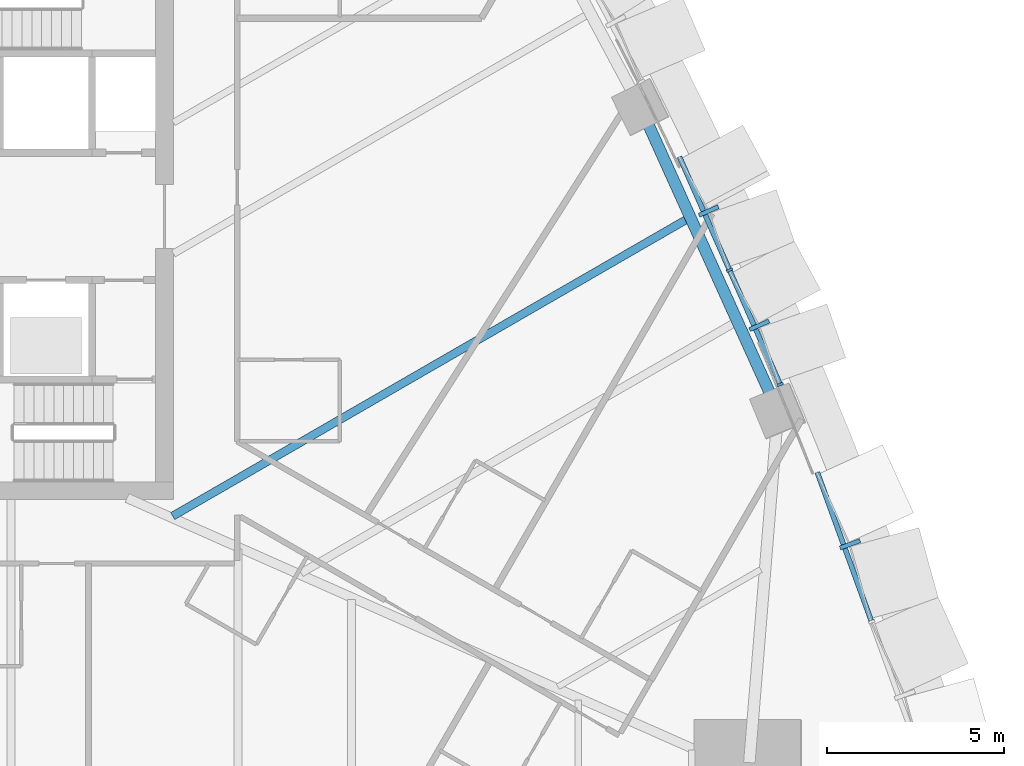
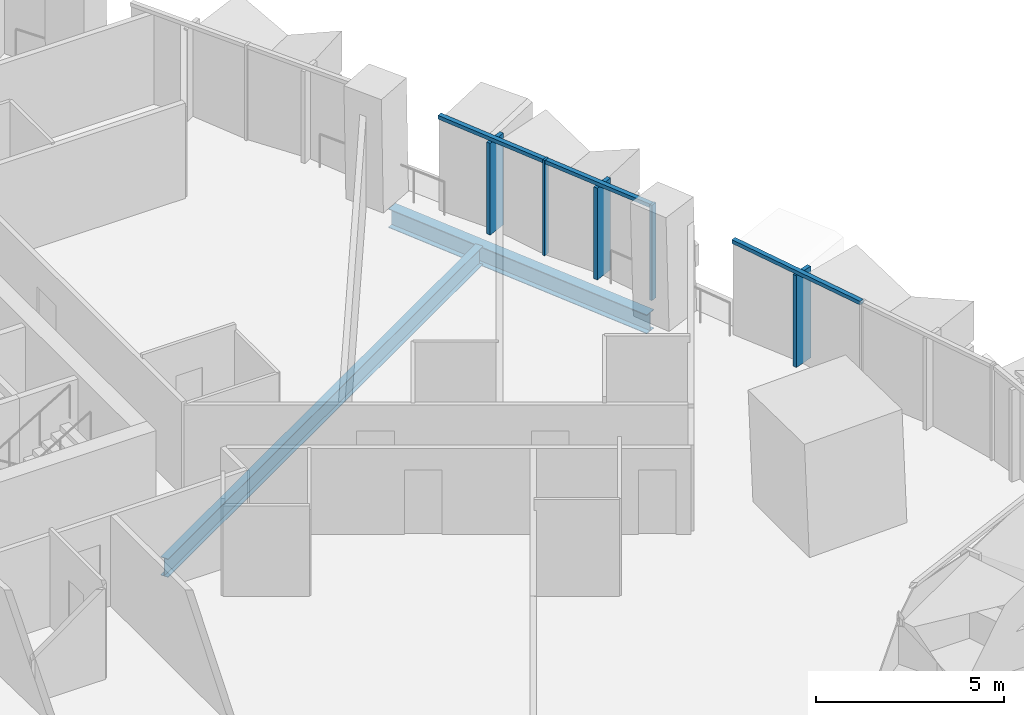
# One storey, part 5 of 27: 8 members, 2 beams, 2 elements without a shape of their own.
"""IFC4 building model written with IfcOpenShell, lengths in metres."""

from ifc_helpers import new_model, si_unit, direction, frame, origin, origin_2d, place, context, subcontext, project, spatial, rectangle, i_section, extrude, material, layer, layer_set, material_profile, profile_set, type_object, element, aggregate, save


model = new_model("IFC4")

# Units and contexts
model_context = context("Model", 3, precision=1e-05, world=origin(), true_north=direction((0.0, 1.0)))
body_context = subcontext(model_context, "Body", "Model", "MODEL_VIEW")
ifc_project = project(units=[si_unit("LENGTHUNIT", "METRE"), si_unit("AREAUNIT", "SQUARE_METRE"), si_unit("VOLUMEUNIT", "CUBIC_METRE"), si_unit("PLANEANGLEUNIT", "RADIAN"), si_unit("MASSUNIT", "GRAM", prefix="KILO")], contexts=[model_context])

# Site, building, storey
site_placement = place(None, origin())
site = spatial("IfcSite", under=ifc_project, at=site_placement, CompositionType="ELEMENT")
building_placement = place(site_placement, origin())
building = spatial("IfcBuilding", under=site, at=building_placement, Name="Sierra Prisma Convention Tower", CompositionType="ELEMENT")
storey_placement = place(building_placement, frame((0.0, 0.0, 48.0)))
storey = spatial("IfcBuildingStorey", under=building, at=storey_placement, Name="L07", CompositionType="ELEMENT", Elevation=48.0)

# Curtain wall, member
ifc_material_1 = material(Name="Aluminium and glass curtain wall", Category="aluminium")
ifc_layer = layer(ifc_material_1, 0.179931640625)
ifc_layer_set = layer_set([ifc_layer], Name="CW-2 Faceted crystal curtain wall")
curtain_wall_type = type_object("IfcCurtainWallType", Name="CW-2 Faceted crystal curtain wall", PredefinedType="NOTDEFINED", material=ifc_layer_set)
curtain_wall_1_placement = place(storey_placement, origin())
curtain_wall_1 = element("IfcCurtainWall", 1, at=curtain_wall_1_placement, inside=storey, type_object=curtain_wall_type, Name="CW-2 NE1 L07", PredefinedType="NOTDEFINED")
ifc_material_2 = material(Name="Aluminium 6063-T6 bronze anodised", Category="aluminium")
ifc_material_profile_1 = material_profile(ifc_material_2, rectangle(XDim=0.1201171875, YDim=0.60009765625, at=origin_2d()), Name="ALU RIDGE BLADE 120x600")
ifc_profile_set_1 = profile_set([ifc_material_profile_1], Name="Aluminium 6063-T6 bronze anodised")
member_type_1 = type_object("IfcMemberType", Name="CW hip bronze", PredefinedType="MULLION", material=ifc_profile_set_1)
member_1_placement = place(storey_placement, frame((30.111572265625, -9.2607421875, 0.0), z_axis=(0.0, 0.0, 1.0), x_axis=(-0.341729844272, 0.939798230225, 0.0)))
member_1 = element("IfcMember", 2, at=member_1_placement, type_object=member_type_1, Name="CW-2 ridge NE1.2", PredefinedType="MULLION", context=body_context, shape_type="SweptSolid", body=[
    extrude(rectangle(XDim=0.1201171875, YDim=0.60009765625, at=origin_2d()), origin(), (0.0, 0.0, 1.0), 2.97998046875),
])

# Curtain wall, members
curtain_wall_2_placement = place(storey_placement, origin())
curtain_wall_2 = element("IfcCurtainWall", 3, at=curtain_wall_2_placement, inside=storey, type_object=curtain_wall_type, Name="CW-2 NE2 L07", PredefinedType="NOTDEFINED")
member_2_placement = place(storey_placement, frame((27.547607421875, -3.0751953125, 0.0), z_axis=(0.0, 0.0, 1.0), x_axis=(-0.404506226551, 0.914535244089, 0.0)))
member_2 = element("IfcMember", 4, at=member_2_placement, type_object=member_type_1, Name="CW-2 ridge NE2.1", PredefinedType="MULLION", context=body_context, shape_type="SweptSolid", body=[
    extrude(rectangle(XDim=0.1201171875, YDim=0.60009765625, at=origin_2d()), origin(), (0.0, 0.0, 1.0), 2.97998046875),
])
member_3_placement = place(storey_placement, frame((26.119140625, 0.154296875, 0.0), z_axis=(0.0, 0.0, 1.0), x_axis=(-0.404506226551, 0.914535244089, 0.0)))
member_3 = element("IfcMember", 5, at=member_3_placement, type_object=member_type_1, Name="CW-2 ridge NE2.2", PredefinedType="MULLION", context=body_context, shape_type="SweptSolid", body=[
    extrude(rectangle(XDim=0.1201171875, YDim=0.60009765625, at=origin_2d()), origin(), (0.0, 0.0, 1.0), 2.97998046875),
])
ifc_material_3 = material(Name="Aluminium 6063-T6 bronze anodised", Category="aluminium")
ifc_material_profile_2 = material_profile(ifc_material_3, rectangle(XDim=0.179931640625, YDim=0.070068359375, at=origin_2d()), Name="ALU MULLION 70x180")
ifc_profile_set_2 = profile_set([ifc_material_profile_2], Name="Aluminium 6063-T6 bronze anodised")
member_type_2 = type_object("IfcMemberType", Name="CW mullion bronze", PredefinedType="MULLION", material=ifc_profile_set_2)
member_4_placement = place(storey_placement, frame((28.13720703125, -4.744873046875, 0.0), z_axis=(0.0, 0.0, 1.0), x_axis=(-0.914535244089, -0.404506226551, 0.0)))
member_4 = element("IfcMember", 6, at=member_4_placement, type_object=member_type_2, Name="CW-1 mullion NE2.1", PredefinedType="MULLION", context=body_context, shape_type="SweptSolid", body=[
    extrude(rectangle(XDim=0.179931640625, YDim=0.070068359375, at=origin_2d()), origin(), (0.0, 0.0, 1.0), 3.10009765625),
])
member_5_placement = place(storey_placement, frame((26.708740234375, -1.515625, 0.0), z_axis=(0.0, 0.0, 1.0), x_axis=(-0.914535244089, -0.404506226551, 0.0)))
member_5 = element("IfcMember", 7, at=member_5_placement, type_object=member_type_2, Name="CW-1 mullion NE2.2", PredefinedType="MULLION", context=body_context, shape_type="SweptSolid", body=[
    extrude(rectangle(XDim=0.179931640625, YDim=0.070068359375, at=origin_2d()), origin(), (0.0, 0.0, 1.0), 3.10009765625),
])

# Member
ifc_material_4 = material(Name="Aluminium 6063-T6 bronze anodised", Category="aluminium")
ifc_material_profile_3 = material_profile(ifc_material_4, rectangle(XDim=0.139892578125, YDim=0.1201171875, at=origin_2d()), Name="ALU TRANSOM 120x140")
ifc_profile_set_3 = profile_set([ifc_material_profile_3], Name="Aluminium 6063-T6 bronze anodised")
member_type_3 = type_object("IfcMemberType", Name="CW transom bronze", PredefinedType="USERDEFINED", material=ifc_profile_set_3)
member_6_placement = place(storey_placement, frame((30.708251953125, -11.41455078125, 3.0400390625), z_axis=(-0.341769457319, 0.939783825166, 0.0), x_axis=(-0.939783825166, -0.341769457319, 0.0)))
member_6 = element("IfcMember", 8, at=member_6_placement, type_object=member_type_3, Name="CW-1 transom NE1.2", ObjectType="TRANSOM", PredefinedType="USERDEFINED", context=body_context, shape_type="SweptSolid", body=[
    extrude(rectangle(XDim=0.139892578125, YDim=0.1201171875, at=origin_2d()), origin(), (0.0, 0.0, 1.0), 4.4560546875),
])

aggregate(curtain_wall_1, [member_6, member_1])

member_7_placement = place(storey_placement, frame((28.123046875, -4.712890625, 3.0400390625), z_axis=(-0.404534378073, 0.914522791929, 0.0), x_axis=(-0.914522791929, -0.404534378073, 0.0)))
member_7 = element("IfcMember", 9, at=member_7_placement, type_object=member_type_3, Name="CW-1 transom NE2.1", ObjectType="TRANSOM", PredefinedType="USERDEFINED", context=body_context, shape_type="SweptSolid", body=[
    extrude(rectangle(XDim=0.139892578125, YDim=0.1201171875, at=origin_2d()), origin(), (0.0, 0.0, 1.0), 3.461181640625),
])

member_8_placement = place(storey_placement, frame((26.694580078125, -1.483642578125, 3.0400390625), z_axis=(-0.404475381108, 0.914548886653, 0.0), x_axis=(-0.914548886653, -0.404475381108, 0.0)))
member_8 = element("IfcMember", 10, at=member_8_placement, type_object=member_type_3, Name="CW-1 transom NE2.2", ObjectType="TRANSOM", PredefinedType="USERDEFINED", context=body_context, shape_type="SweptSolid", body=[
    extrude(rectangle(XDim=0.139892578125, YDim=0.1201171875, at=origin_2d()), origin(), (0.0, 0.0, 1.0), 3.4609375),
])

aggregate(curtain_wall_2, [member_4, member_5, member_7, member_2, member_8, member_3])

# Beams
ifc_material_5 = material(Name="Steel ASTM A992 Gr 50", Category="steel")
ifc_material_profile_4 = material_profile(ifc_material_5, i_section(OverallWidth=0.22802734375, OverallDepth=0.60302734375, WebThickness=0.010498046875, FlangeThickness=0.014892578125, at=origin_2d()), Name="W610x101")
ifc_profile_set_4 = profile_set([ifc_material_profile_4], Name="Steel ASTM A992 Gr 50")
beam_type_1 = type_object("IfcBeamType", Name="Floor joist W610x101", PredefinedType="JOIST", material=ifc_profile_set_4)
beam_1_placement = place(storey_placement, frame((25.500732421875, -0.080078125, -0.451416015625), z_axis=(-0.866025080442, -0.500000560044, 0.0), x_axis=(0.500000560044, -0.866025080442, 0.0)))
element("IfcBeam", 11, at=beam_1_placement, inside=storey, type_object=beam_type_1, Name="Floor joist L07 NE05", PredefinedType="JOIST", context=body_context, shape_type="SweptSolid", body=[
    extrude(i_section(OverallWidth=0.22802734375, OverallDepth=0.60302734375, WebThickness=0.010498046875, FlangeThickness=0.014892578125, at=origin_2d()), origin(), (0.0, 0.0, 1.0), 16.7685546875),
])
ifc_material_6 = material(Name="Steel ASTM A992 Gr 50", Category="steel")
ifc_material_profile_5 = material_profile(ifc_material_6, i_section(OverallWidth=0.324951171875, OverallDepth=0.615966796875, WebThickness=0.013916015625, FlangeThickness=0.021484375, at=origin_2d()), Name="W610x174")
ifc_profile_set_5 = profile_set([ifc_material_profile_5], Name="Steel ASTM A992 Gr 50")
beam_type_2 = type_object("IfcBeamType", Name="Spandrel beam W610x174", PredefinedType="BEAM", material=ifc_profile_set_5)
beam_2_placement = place(storey_placement, frame((27.87890625, -5.0625, -0.4580078125), z_axis=(-0.412224868512, 0.911082135584, 0.0), x_axis=(-0.911082135584, -0.412224868512, 0.0)))
element("IfcBeam", 12, at=beam_2_placement, inside=storey, type_object=beam_type_2, Name="Spandrel L07-08", PredefinedType="BEAM", context=body_context, shape_type="SweptSolid", body=[
    extrude(i_section(OverallWidth=0.324951171875, OverallDepth=0.615966796875, WebThickness=0.013916015625, FlangeThickness=0.021484375, at=origin_2d()), origin(), (0.0, 0.0, 1.0), 8.465576171875),
])

save(model, "model.ifc")
